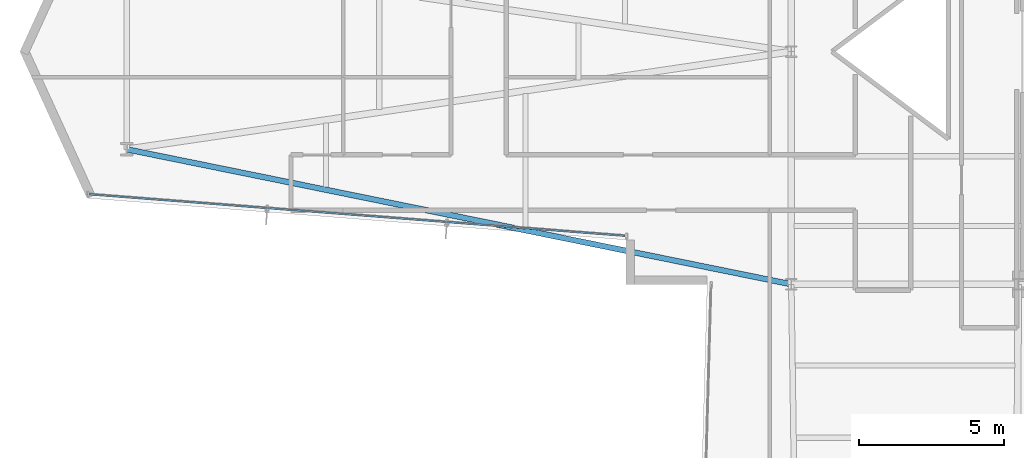
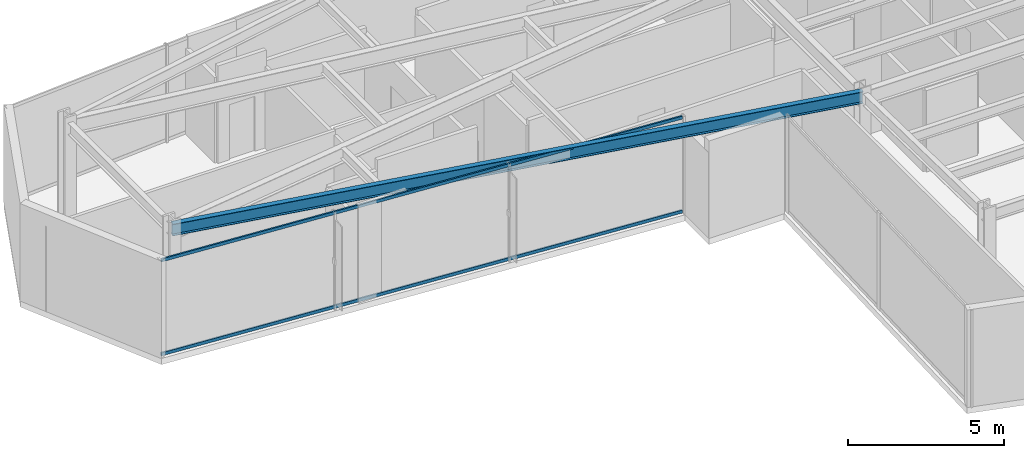
# One storey, part 3 of 30: 2 members, 1 beam, 1 element without a shape of its own.
"""IFC4 building model written with IfcOpenShell, lengths in metres."""

from ifc_helpers import new_model, si_unit, direction, frame, origin, origin_2d, place, context, subcontext, project, spatial, hollow_rectangle, i_section, extrude, material, layer, layer_set, material_profile, profile_set, type_object, element, aggregate, save


model = new_model("IFC4")

# Units and contexts
model_context = context("Model", 3, precision=1e-05, world=origin(), true_north=direction((0.0, 1.0)))
body_context = subcontext(model_context, "Body", "Model", "MODEL_VIEW")
ifc_project = project(units=[si_unit("LENGTHUNIT", "METRE"), si_unit("AREAUNIT", "SQUARE_METRE"), si_unit("VOLUMEUNIT", "CUBIC_METRE"), si_unit("PLANEANGLEUNIT", "RADIAN"), si_unit("MASSUNIT", "GRAM", prefix="KILO")], contexts=[model_context])

# Site, building, storey
site_placement = place(None, origin())
site = spatial("IfcSite", under=ifc_project, at=site_placement, CompositionType="ELEMENT")
building_placement = place(site_placement, origin())
building = spatial("IfcBuilding", under=site, at=building_placement, Name="Veymaron Broadcast Tower", CompositionType="ELEMENT")
storey_placement = place(building_placement, frame((0.0, 0.0, 54.0)))
storey = spatial("IfcBuildingStorey", under=building, at=storey_placement, Name="L11", CompositionType="ELEMENT", Elevation=54.0)

# Beam
ifc_material_1 = material(Name="Structural steel ASTM A992 Gr 50", Category="steel")
ifc_material_profile_1 = material_profile(ifc_material_1, i_section(OverallWidth=0.19091796875, OverallDepth=0.4599609375, WebThickness=0.010009765625, FlangeThickness=0.01611328125, at=origin_2d()), Name="W460X82")
ifc_profile_set_1 = profile_set([ifc_material_profile_1], Name="Structural steel ASTM A992 Gr 50")
beam_type = type_object("IfcBeamType", Name="BM-SP1", PredefinedType="SPANDREL", material=ifc_profile_set_1)
beam_placement = place(storey_placement, frame((8.35205078125, 20.639892578125, 3.580078125), z_axis=(0.979996415333, -0.199015139963, 0.0), x_axis=(0.199015139963, 0.979996415333, 0.0)))
element("IfcBeam", 1, at=beam_placement, inside=storey, type_object=beam_type, Name="L11 primary structural floor girder", PredefinedType="SPANDREL", context=body_context, shape_type="SweptSolid", body=[
    extrude(i_section(OverallWidth=0.19091796875, OverallDepth=0.4599609375, WebThickness=0.010009765625, FlangeThickness=0.01611328125, at=origin_2d()), origin(), (0.0, 0.0, 1.0), 23.314208984375),
])

# Curtain wall, members
ifc_material_2 = material(Name="Anodised aluminium AA 6063-T6 and laminated low-E dark glass", Category="aluminium")
ifc_layer = layer(ifc_material_2, 0.179931640625)
ifc_layer_set = layer_set([ifc_layer], Name="Anodised aluminium AA 6063-T6 and laminated low-E dark glass")
curtain_wall_type = type_object("IfcCurtainWallType", Name="CW-SYS-02", PredefinedType="NOTDEFINED", material=ifc_layer_set)
curtain_wall_placement = place(storey_placement, origin())
curtain_wall = element("IfcCurtainWall", 2, at=curtain_wall_placement, inside=storey, type_object=curtain_wall_type, Name="L11 dark-glass curtain wall CW-L11-E14-1", PredefinedType="NOTDEFINED")
ifc_material_3 = material(Name="Anodised aluminium AA 6063-T6", Category="aluminium")
ifc_material_profile_2 = material_profile(ifc_material_3, hollow_rectangle(XDim=0.06005859375, YDim=0.1201171875, WallThickness=0.00390625, at=origin_2d()), Name="AL120X60X4")
ifc_profile_set_2 = profile_set([ifc_material_profile_2], Name="Anodised aluminium AA 6063-T6")
member_type = type_object("IfcMemberType", Name="CW-TRN-02", PredefinedType="USERDEFINED", material=ifc_profile_set_2)
member_1_placement = place(storey_placement, frame((7.060791015625, 19.095947265625, 0.070068359375), z_axis=(0.997009170572, -0.07728333453, 0.0), x_axis=(0.07728333453, 0.997009170572, 0.0)))
member_1 = element("IfcMember", 3, at=member_1_placement, type_object=member_type, Name="CW-L11-E14-1 transom B", ObjectType="TRANSOM", PredefinedType="USERDEFINED", context=body_context, shape_type="SweptSolid", body=[
    extrude(hollow_rectangle(XDim=0.06005859375, YDim=0.1201171875, WallThickness=0.00390625, at=origin_2d()), origin(), (0.0, 0.0, 1.0), 18.4833984375),
])
member_2_placement = place(storey_placement, frame((7.060791015625, 19.095947265625, 3.739990234375), z_axis=(0.997009170572, -0.07728333453, 0.0), x_axis=(0.07728333453, 0.997009170572, 0.0)))
member_2 = element("IfcMember", 4, at=member_2_placement, type_object=member_type, Name="CW-L11-E14-1 transom T", ObjectType="TRANSOM", PredefinedType="USERDEFINED", context=body_context, shape_type="SweptSolid", body=[
    extrude(hollow_rectangle(XDim=0.06005859375, YDim=0.1201171875, WallThickness=0.00390625, at=origin_2d()), origin(), (0.0, 0.0, 1.0), 18.4833984375),
])
aggregate(curtain_wall, [member_1, member_2])

save(model, "model.ifc")
